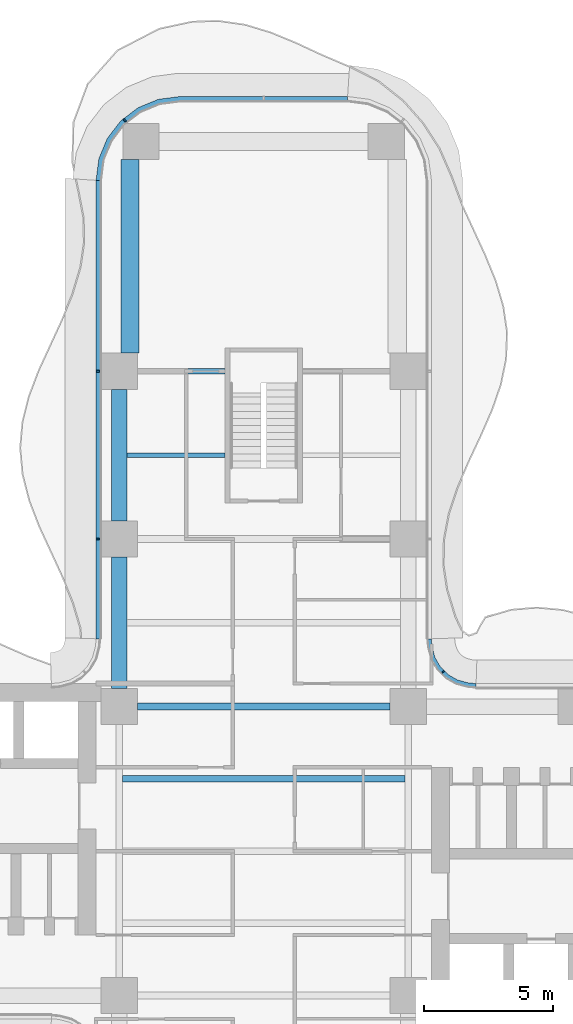
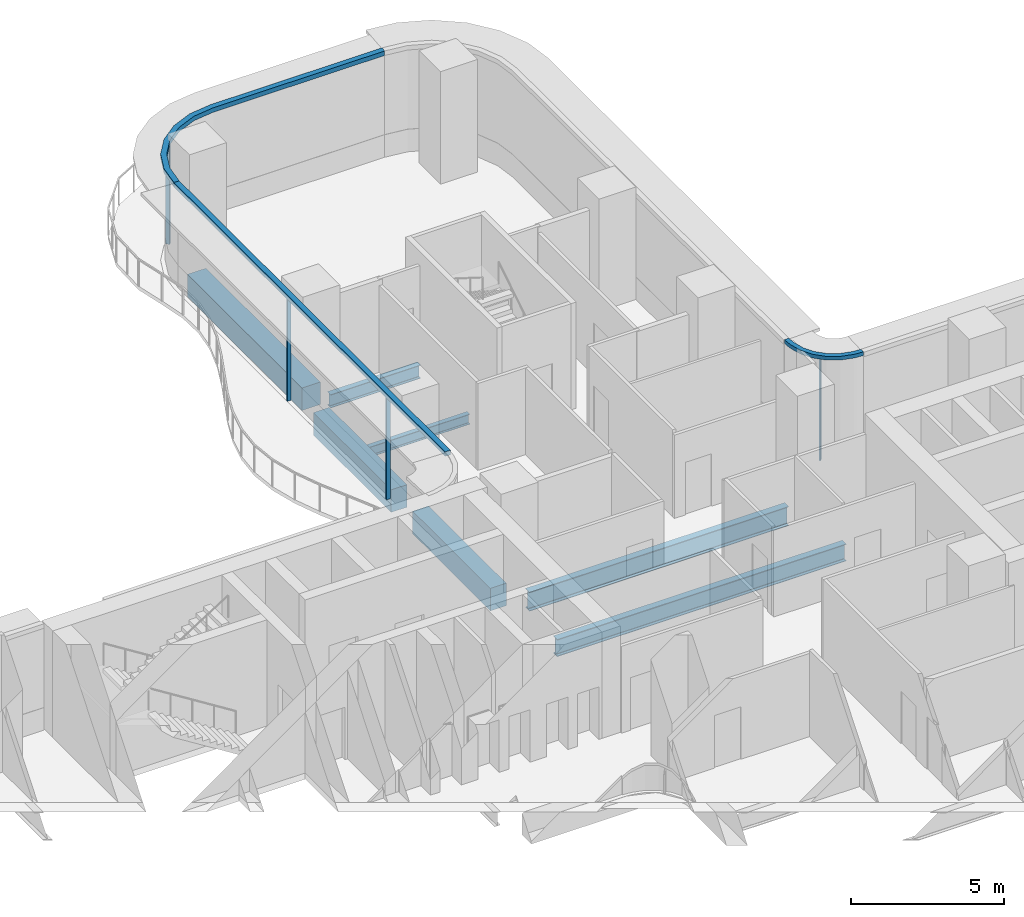
# One storey, part 9 of 22: 7 beams, 7 members, 3 elements without a shape of their own.
"""IFC4 building model written with IfcOpenShell, lengths in metres."""

import ifcopenshell
import ifcopenshell.guid

model = None  # the IFC model being written
_history = None  # IfcOwnerHistory: only IFC2X3 demands one
_inside = {}  # id of a spatial element -> (the spatial element, [elements in it])
_under = {}  # id of a project, library or spatial element -> (it, [spatial elements below it])
_declared = {}  # id of a project -> (the project, [libraries it declares])
_typed = {}  # id of a type object -> (the type object, [elements of that type])
_made_of = {}  # id of a material, layer set ... -> (it, [elements and type objects made of it])


def new_model(schema):
    """Start an empty IFC model of exactly this schema.

    Asked for "IFC4X3", IfcOpenShell would pick the latest addendum, in which some entities
    have other attributes; the version numbers below select the first issue.
    IFC2X3 requires an IfcOwnerHistory on every rooted entity: one is made here for all.
    """
    global model, _history
    if schema == "IFC4X3":
        model = ifcopenshell.file(schema_version=(4, 3, 0, 0))
    else:
        model = ifcopenshell.file(schema=schema)
    _inside.clear()
    _under.clear()
    _declared.clear()
    _typed.clear()
    _made_of.clear()
    _history = None
    if model.schema == "IFC2X3":
        org = make("IfcOrganization", Name="unknown")
        user = make(
            "IfcPersonAndOrganization",
            ThePerson=make("IfcPerson", FamilyName="unknown"),
            TheOrganization=org,
        )
        app = make(
            "IfcApplication",
            ApplicationDeveloper=org,
            Version="unknown",
            ApplicationFullName="unknown",
            ApplicationIdentifier="unknown",
        )
        _history = make(
            "IfcOwnerHistory",
            OwningUser=user,
            OwningApplication=app,
            ChangeAction="ADDED",
            CreationDate=0,
        )
    return model


def make(cls, **values):
    """One entity of the class cls with the attributes given. An attribute that is None is left unset."""
    return model.create_entity(
        cls, **{name: value for name, value in values.items() if value is not None}
    )


def rooted(cls, **values):
    """An entity with a GlobalId (a new one), such as an element, a storey or a relation."""
    return make(cls, GlobalId=ifcopenshell.guid.new(), OwnerHistory=_history, **values)


def si_unit(unit_type, name, prefix=None):
    """IfcSIUnit, for example si_unit("LENGTHUNIT", "METRE", prefix="MILLI")."""
    return make("IfcSIUnit", UnitType=unit_type, Prefix=prefix, Name=name)


def assignment(units):
    """IfcUnitAssignment: the units of a project."""
    return None if units is None else make("IfcUnitAssignment", Units=units)


def point(xyz):
    """IfcCartesianPoint."""
    return None if xyz is None else make("IfcCartesianPoint", Coordinates=xyz)


def direction(xyz):
    """IfcDirection."""
    return None if xyz is None else make("IfcDirection", DirectionRatios=xyz)


def frame(location, z_axis=None, x_axis=None):
    """IfcAxis2Placement3D, a coordinate frame: its origin and axes. An axis left out is left unset."""
    return make(
        "IfcAxis2Placement3D",
        Location=point(location),
        Axis=direction(z_axis),
        RefDirection=direction(x_axis),
    )


def frame_2d(location, x_axis=None):
    """IfcAxis2Placement2D, a coordinate frame in the plane: its origin and x axis."""
    return make(
        "IfcAxis2Placement2D", Location=point(location), RefDirection=direction(x_axis)
    )


def origin():
    """The frame at (0, 0, 0) with its axes left unset."""
    return frame((0.0, 0.0, 0.0))


def origin_2d():
    """The frame at (0, 0) in the plane with its x axis left unset."""
    return frame_2d((0.0, 0.0))


def place(relative_to, where):
    """IfcLocalPlacement: puts the frame where relative to a parent placement (None: the world)."""
    return make(
        "IfcLocalPlacement", PlacementRelTo=relative_to, RelativePlacement=where
    )


def context(
    kind, dimensions, precision=None, world=None, true_north=None, identifier=None
):
    """IfcGeometricRepresentationContext, for example the 3D "Model" context."""
    return make(
        "IfcGeometricRepresentationContext",
        ContextIdentifier=identifier,
        ContextType=kind,
        CoordinateSpaceDimension=dimensions,
        Precision=precision,
        WorldCoordinateSystem=world,
        TrueNorth=true_north,
    )


def subcontext(parent, identifier, kind, view, scale=None):
    """IfcGeometricRepresentationSubContext, for example "Body" below "Model"."""
    return make(
        "IfcGeometricRepresentationSubContext",
        ContextIdentifier=identifier,
        ContextType=kind,
        ParentContext=parent,
        TargetScale=scale,
        TargetView=view,
    )


def project(units=None, contexts=None):
    """IfcProject with its units and contexts."""
    return rooted(
        "IfcProject",
        Name="project",
        RepresentationContexts=contexts,
        UnitsInContext=assignment(units),
    )


def spatial(cls, under=None, at=None, **own):
    """A site, building, storey or space (cls), placed at a placement, below another one or the project."""
    s = rooted(cls, ObjectPlacement=at, **own)
    if under is not None:
        _under.setdefault(under.id(), (under, []))[1].append(s)
    return s


def polyline(points):
    """IfcPolyline through the points."""
    return make("IfcPolyline", Points=[point(p) for p in points])


def profile(cls, at=None, kind="AREA", **sizes):
    """A parametric profile (cls). Its sizes go by their IFC names, for example OverallWidth=200.0."""
    return make(cls, ProfileType=kind, Position=at, **sizes)


def rectangle(**sizes):
    """IfcRectangleProfileDef."""
    return profile("IfcRectangleProfileDef", **sizes)


def i_section(**sizes):
    """IfcIShapeProfileDef."""
    return profile("IfcIShapeProfileDef", **sizes)


def outline(outer, holes=None, kind="AREA"):
    """IfcArbitraryClosedProfileDef: a profile drawn as a closed curve; with holes, ...WithVoids."""
    if holes is None:
        return make("IfcArbitraryClosedProfileDef", ProfileType=kind, OuterCurve=outer)
    return make(
        "IfcArbitraryProfileDefWithVoids",
        ProfileType=kind,
        OuterCurve=outer,
        InnerCurves=holes,
    )


def extrude(swept, where, along, depth):
    """IfcExtrudedAreaSolid: the profile swept, set in the frame where, extruded along a direction by depth."""
    return make(
        "IfcExtrudedAreaSolid",
        SweptArea=swept,
        Position=where,
        ExtrudedDirection=direction(along),
        Depth=depth,
    )


def shape(context_of_items, identifier, shape_type, items):
    """IfcShapeRepresentation: the items that make up one representation, for example the "Body"."""
    return make(
        "IfcShapeRepresentation",
        ContextOfItems=context_of_items,
        RepresentationIdentifier=identifier,
        RepresentationType=shape_type,
        Items=items,
    )


def source(mapping_origin, context_of_items, identifier, shape_type, items):
    """IfcRepresentationMap: a shape defined once, which mapped items show again and again."""
    return make(
        "IfcRepresentationMap",
        MappingOrigin=mapping_origin,
        MappedRepresentation=shape(context_of_items, identifier, shape_type, items),
    )


def transform(
    local_origin,
    x_axis=None,
    y_axis=None,
    z_axis=None,
    scale=None,
    scale2=None,
    scale3=None,
    uniform=True,
):
    """IfcCartesianTransformationOperator3D, or its non-uniform kind. x_axis, y_axis, z_axis: its Axis1, 2, 3."""
    if uniform:
        return make(
            "IfcCartesianTransformationOperator3D",
            Axis1=direction(x_axis),
            Axis2=direction(y_axis),
            LocalOrigin=point(local_origin),
            Scale=scale,
            Axis3=direction(z_axis),
        )
    return make(
        "IfcCartesianTransformationOperator3DnonUniform",
        Axis1=direction(x_axis),
        Axis2=direction(y_axis),
        LocalOrigin=point(local_origin),
        Scale=scale,
        Axis3=direction(z_axis),
        Scale2=scale2,
        Scale3=scale3,
    )


def mapped(mapping_source, mapping_target):
    """IfcMappedItem: shows the shape of a source again, moved by a transform."""
    return make(
        "IfcMappedItem", MappingSource=mapping_source, MappingTarget=mapping_target
    )


def material(Name=None, Category=None):
    """IfcMaterial."""
    return make("IfcMaterial", Name=Name, Category=Category)


def layer(
    of_material, thickness, ventilated=None, Name=None, Category=None, Priority=None
):
    """IfcMaterialLayer: one layer of a wall or slab, of a material (None: an air gap)."""
    return make(
        "IfcMaterialLayer",
        Material=of_material,
        LayerThickness=thickness,
        IsVentilated=ventilated,
        Name=Name,
        Category=Category,
        Priority=Priority,
    )


def layer_set(layers, Name=None):
    """IfcMaterialLayerSet."""
    return make("IfcMaterialLayerSet", MaterialLayers=layers, LayerSetName=Name)


def material_profile(
    of_material, cross_section, Name=None, Category=None, Priority=None
):
    """IfcMaterialProfile: a cross section and its material."""
    return make(
        "IfcMaterialProfile",
        Name=Name,
        Material=of_material,
        Profile=cross_section,
        Priority=Priority,
        Category=Category,
    )


def profile_set(profiles, Name=None, composite=None):
    """IfcMaterialProfileSet."""
    return make(
        "IfcMaterialProfileSet",
        Name=Name,
        MaterialProfiles=profiles,
        CompositeProfile=composite,
    )


def made_of(thing, what):
    """Note that an element or type object is made of a material, layer set ...; save() writes the relation."""
    if what is not None:
        _made_of.setdefault(what.id(), (what, []))[1].append(thing)
    return thing


def type_object(cls, material=None, **own):
    """A type object (cls), such as IfcWallType, which elements share."""
    return made_of(rooted(cls, **own), material)


def element(
    cls,
    number,
    at=None,
    inside=None,
    cuts=None,
    type_object=None,
    material=None,
    context=None,
    identifier="Body",
    shape_type=None,
    held_by="IfcProductDefinitionShape",
    body=None,
    shapes=None,
    **own,
):
    """One element of the class cls, such as IfcWall. Its Tag is "e" and its number.

    at: its placement. inside: the storey or other place that contains it. cuts: it is an
    opening in that element (IfcRelVoidsElement). A single representation is given by context,
    identifier, shape_type and body (its items); several are given by shapes. held_by: the class
    of the entity that holds the representations. save() writes the other relations.
    """
    e = rooted(cls, Tag="e%d" % number, ObjectPlacement=at, **own)
    if body is not None:
        shapes = [shape(context, identifier, shape_type, body)]
    if shapes is not None:
        e.Representation = make(held_by, Representations=shapes)
    if inside is not None:
        _inside.setdefault(inside.id(), (inside, []))[1].append(e)
    if cuts is not None:
        rooted(
            "IfcRelVoidsElement", RelatingBuildingElement=cuts, RelatedOpeningElement=e
        )
    if type_object is not None:
        _typed.setdefault(type_object.id(), (type_object, []))[1].append(e)
    return made_of(e, material)


def aggregate(whole, parts):
    """IfcRelAggregates: a whole, such as a stair, and the parts it consists of."""
    return rooted("IfcRelAggregates", RelatingObject=whole, RelatedObjects=parts)


def save(model, path):
    """Write the relations noted so far, then the file.

    IfcRelAggregates (storeys below a building ...), IfcRelContainedInSpatialStructure (elements
    in a storey), IfcRelDefinesByType, IfcRelAssociatesMaterial and IfcRelDeclares: one each for
    every whole, place, type object, material and project.
    """
    for whole, parts in _under.values():
        aggregate(whole, parts)
    for where, things in _inside.values():
        rooted(
            "IfcRelContainedInSpatialStructure",
            RelatedElements=things,
            RelatingStructure=where,
        )
    for kind, things in _typed.values():
        rooted("IfcRelDefinesByType", RelatedObjects=things, RelatingType=kind)
    for what, things in _made_of.values():
        rooted("IfcRelAssociatesMaterial", RelatedObjects=things, RelatingMaterial=what)
    for by, libraries in _declared.values():
        rooted("IfcRelDeclares", RelatingContext=by, RelatedDefinitions=libraries)
    model.write(path)


model = new_model("IFC4")

# Units and contexts
model_context = context("Model", 3, precision=1e-05, world=origin(), true_north=direction((0.0, 1.0)))
body_context = subcontext(model_context, "Body", "Model", "MODEL_VIEW")
ifc_project = project(units=[si_unit("LENGTHUNIT", "METRE"), si_unit("AREAUNIT", "SQUARE_METRE"), si_unit("VOLUMEUNIT", "CUBIC_METRE"), si_unit("PLANEANGLEUNIT", "RADIAN"), si_unit("MASSUNIT", "GRAM", prefix="KILO")], contexts=[model_context])

# Site, building, storey
site_placement = place(None, origin())
site = spatial("IfcSite", under=ifc_project, at=site_placement, CompositionType="ELEMENT")
building_placement = place(site_placement, origin())
building = spatial("IfcBuilding", under=site, at=building_placement, Name="Trellis Farm Tower", CompositionType="ELEMENT")
storey_placement = place(building_placement, frame((0.0, 0.0, 56.5)))
storey = spatial("IfcBuildingStorey", under=building, at=storey_placement, Name="L11", CompositionType="ELEMENT", Elevation=56.5)

# Beams
ifc_material_1 = material(Name="Steel S355", Category="steel")
ifc_material_profile_1 = material_profile(ifc_material_1, i_section(OverallWidth=0.253662109375, OverallDepth=0.68359375, WebThickness=0.012451171875, FlangeThickness=0.021728515625, FilletRadius=0.01513671875, at=origin_2d()), Name="UB 686x254x140")
ifc_profile_set_1 = profile_set([ifc_material_profile_1], Name="Steel S355")
beam_type_1 = type_object("IfcBeamType", Name="UB 686x254x140 joist", PredefinedType="JOIST", material=ifc_profile_set_1)
shared_shape_1 = source(origin(), body_context, "Body", "SweptSolid", [
    extrude(i_section(OverallWidth=0.253662109375, OverallDepth=0.68359375, WebThickness=0.012451171875, FlangeThickness=0.021728515625, FilletRadius=0.01513671875, at=origin_2d()), origin(), (0.0, 0.0, 1.0), 10.93310546875),
])
beam_1_placement = place(storey_placement, frame((-5.466552734375, 2.800048828125, -0.591796875), z_axis=(1.0, 0.0, 0.0), x_axis=(0.0, 1.0, 0.0)))
element("IfcBeam", 1, at=beam_1_placement, inside=storey, type_object=beam_type_1, Name="Floor beam", PredefinedType="JOIST", context=body_context, shape_type="MappedRepresentation", body=[
    mapped(shared_shape_1, transform((0.0, 0.0, 0.0))),
])
ifc_material_profile_2 = material_profile(ifc_material_1, i_section(OverallWidth=0.209228515625, OverallDepth=0.533203125, WebThickness=0.010009765625, FlangeThickness=0.015625, FilletRadius=0.0126953125, at=origin_2d()), Name="UB 533x210x92")
ifc_profile_set_2 = profile_set([ifc_material_profile_2], Name="Steel S355")
beam_type_2 = type_object("IfcBeamType", Name="UB 533x210x92", PredefinedType="BEAM", material=ifc_profile_set_2)
shared_shape_2 = source(origin(), body_context, "Body", "SweptSolid", [
    extrude(i_section(OverallWidth=0.209228515625, OverallDepth=0.533203125, WebThickness=0.010009765625, FlangeThickness=0.015625, FilletRadius=0.0126953125, at=origin_2d()), origin(), (0.0, 0.0, 1.0), 3.39990234375),
])
beam_2_placement = place(storey_placement, frame((-4.89990234375, 18.60009765625, -0.5166015625), z_axis=(1.0, 0.0, 0.0), x_axis=(0.0, 1.0, 0.0)))
element("IfcBeam", 2, at=beam_2_placement, inside=storey, type_object=beam_type_2, Name="Girder", PredefinedType="BEAM", context=body_context, shape_type="MappedRepresentation", body=[
    mapped(shared_shape_2, transform((0.0, 0.0, 0.0))),
])
ifc_material_2 = material(Name="Concrete C60/75", Category="concrete")
ifc_material_profile_3 = material_profile(ifc_material_2, rectangle(XDim=0.60009765625, YDim=0.89990234375, at=origin_2d()), Name="RC spandrel beam 600x900 C60/75")
ifc_profile_set_3 = profile_set([ifc_material_profile_3], Name="Concrete C60/75")
beam_type_3 = type_object("IfcBeamType", Name="RC spandrel beam 600x900 C60/75", PredefinedType="SPANDREL", material=ifc_profile_set_3)
shared_shape_3 = source(origin(), body_context, "Body", "SweptSolid", [
    extrude(rectangle(XDim=0.60009765625, YDim=0.89990234375, at=origin_2d()), origin(), (0.0, 0.0, 1.0), 5.099853515625),
])
for number, where, z_axis, x_axis, name in (
    (3, (-5.60009765625, 6.300048828125, -0.699951171875), (0.0, 1.0, 0.0), (-1.0, 0.0, 0.0), "Girder"),
    (4, (-5.60009765625, 12.800048828125, -0.699951171875), (0.0, 1.0, 0.0), (-1.0, 0.0, 0.0), "Girder"),
):
    element("IfcBeam", number, at=place(storey_placement, frame(where, z_axis=z_axis, x_axis=x_axis)), inside=storey, type_object=beam_type_3, Name=name, PredefinedType="SPANDREL", context=body_context, shape_type="MappedRepresentation", body=[
        mapped(shared_shape_3, transform((0.0, 0.0, 0.0))),
    ])
ifc_material_profile_4 = material_profile(ifc_material_1, i_section(OverallWidth=0.2666015625, OverallDepth=0.76220703125, WebThickness=0.014404296875, FlangeThickness=0.021484375, FilletRadius=0.0166015625, at=origin_2d()), Name="UB 762x267x173")
ifc_profile_set_4 = profile_set([ifc_material_profile_4], Name="Steel S355")
beam_type_4 = type_object("IfcBeamType", Name="UB 762x267x173", PredefinedType="BEAM", material=ifc_profile_set_4)
shared_shape_4 = source(origin(), body_context, "Body", "SweptSolid", [
    extrude(i_section(OverallWidth=0.2666015625, OverallDepth=0.76220703125, WebThickness=0.014404296875, FlangeThickness=0.021484375, FilletRadius=0.0166015625, at=origin_2d()), origin(), (0.0, 0.0, 1.0), 9.7998046875),
])
beam_3_placement = place(storey_placement, frame((-4.89990234375, 5.60009765625, -0.631103515625), z_axis=(1.0, 0.0, 0.0), x_axis=(0.0, 1.0, 0.0)))
element("IfcBeam", 5, at=beam_3_placement, inside=storey, type_object=beam_type_4, Name="Girder", PredefinedType="BEAM", context=body_context, shape_type="MappedRepresentation", body=[
    mapped(shared_shape_4, transform((0.0, 0.0, 0.0))),
])
ifc_material_profile_5 = material_profile(ifc_material_2, rectangle(XDim=0.699951171875, YDim=0.89990234375, at=origin_2d()), Name="RC spandrel beam 700x900 C60/75")
ifc_profile_set_5 = profile_set([ifc_material_profile_5], Name="Concrete C60/75")
beam_type_5 = type_object("IfcBeamType", Name="RC spandrel beam 700x900 C60/75", PredefinedType="SPANDREL", material=ifc_profile_set_5)
shared_shape_5 = source(origin(), body_context, "Body", "SweptSolid", [
    extrude(rectangle(XDim=0.699951171875, YDim=0.89990234375, at=origin_2d()), origin(), (0.0, 0.0, 1.0), 7.5),
])
beam_4_placement = place(storey_placement, frame((-5.175048828125, 19.300048828125, -0.699951171875), z_axis=(0.0, 1.0, 0.0), x_axis=(-1.0, 0.0, 0.0)))
element("IfcBeam", 6, at=beam_4_placement, inside=storey, type_object=beam_type_5, Name="Girder", PredefinedType="SPANDREL", context=body_context, shape_type="MappedRepresentation", body=[
    mapped(shared_shape_5, transform((0.0, 0.0, 0.0))),
])
ifc_material_profile_6 = material_profile(ifc_material_1, i_section(OverallWidth=0.177978515625, OverallDepth=0.406494140625, WebThickness=0.0078125, FlangeThickness=0.0126953125, FilletRadius=0.01025390625, at=origin_2d()), Name="UB 406x178x60")
ifc_profile_set_6 = profile_set([ifc_material_profile_6], Name="Steel S355")
beam_type_6 = type_object("IfcBeamType", Name="UB 406x178x60 joist", PredefinedType="JOIST", material=ifc_profile_set_6)
shared_shape_6 = source(origin(), body_context, "Body", "SweptSolid", [
    extrude(i_section(OverallWidth=0.177978515625, OverallDepth=0.406494140625, WebThickness=0.0078125, FlangeThickness=0.0126953125, FilletRadius=0.01025390625, at=origin_2d()), origin(), (0.0, 0.0, 1.0), 3.800048828125),
])
beam_5_placement = place(storey_placement, frame((-5.300048828125, 15.35009765625, -0.453125), z_axis=(1.0, 0.0, 0.0), x_axis=(0.0, 1.0, 0.0)))
element("IfcBeam", 7, at=beam_5_placement, inside=storey, type_object=beam_type_6, Name="Floor beam", PredefinedType="JOIST", context=body_context, shape_type="MappedRepresentation", body=[
    mapped(shared_shape_6, transform((0.0, 0.0, 0.0))),
])

# Curtain wall, member
ifc_material_3 = material(Name="Aluminium and glass curtain wall", Category="aluminium")
ifc_layer_1 = layer(ifc_material_3, 0.18994140625)
ifc_layer_set_1 = layer_set([ifc_layer_1], Name="RIBBON CURTAIN WALL CW1")
curtain_wall_type_1 = type_object("IfcCurtainWallType", Name="RIBBON CURTAIN WALL CW1", PredefinedType="NOTDEFINED", material=ifc_layer_set_1)
placement_1 = place(storey_placement, origin())
curtain_wall_1 = element("IfcCurtainWall", 8, at=placement_1, inside=storey, type_object=curtain_wall_type_1, Name="CW1 010", PredefinedType="NOTDEFINED")
ifc_material_4 = material(Name="Aluminium extrusion 6063-T6", Category="aluminium")
ifc_material_profile_7 = material_profile(ifc_material_4, rectangle(XDim=0.06005859375, YDim=0.14990234375, at=origin_2d()), Name="MULLION 60x150")
ifc_profile_set_7 = profile_set([ifc_material_profile_7], Name="Aluminium extrusion 6063-T6")
member_type_1 = type_object("IfcMemberType", Name="CW1 MULLION 60x150", PredefinedType="MULLION", material=ifc_profile_set_7)
shared_shape_7 = source(origin(), body_context, "Body", "SweptSolid", [
    extrude(rectangle(XDim=0.06005859375, YDim=0.14990234375, at=origin_2d()), origin(), (0.0, 0.0, 1.0), 4.070068359375),
])
member_1_placement = place(storey_placement, frame((-5.385498046875, 28.328369140625, 0.0), z_axis=(0.0, 0.0, 1.0), x_axis=(-0.793353340291, -0.608761429009, 0.0)))
member_1 = element("IfcMember", 9, at=member_1_placement, type_object=member_type_1, Name="MU1 010-02", PredefinedType="MULLION", context=body_context, shape_type="MappedRepresentation", body=[
    mapped(shared_shape_7, transform((0.0, 0.0, 0.0))),
])

# Curtain wall, members
curtain_wall_2 = element("IfcCurtainWall", 10, at=placement_1, inside=storey, type_object=curtain_wall_type_1, Name="CW1 011", PredefinedType="NOTDEFINED")
member_2_placement = place(storey_placement, frame((-6.425048828125, 18.60009765625, 0.0), z_axis=(0.0, 0.0, 1.0), x_axis=(0.0, -1.0, 0.0)))
member_2 = element("IfcMember", 11, at=member_2_placement, type_object=member_type_1, Name="MU1 011-01", PredefinedType="MULLION", context=body_context, shape_type="MappedRepresentation", body=[
    mapped(shared_shape_7, transform((0.0, 0.0, 0.0))),
])
member_3_placement = place(storey_placement, frame((-6.425048828125, 12.10009765625, 0.0), z_axis=(0.0, 0.0, 1.0), x_axis=(0.0, -1.0, 0.0)))
member_3 = element("IfcMember", 12, at=member_3_placement, type_object=member_type_1, Name="MU1 011-02", PredefinedType="MULLION", context=body_context, shape_type="MappedRepresentation", body=[
    mapped(shared_shape_7, transform((0.0, 0.0, 0.0))),
])

ifc_layer_2 = layer(ifc_material_3, 0.166015625)
ifc_layer_set_2 = layer_set([ifc_layer_2], Name="WINTER GARDEN CURTAIN WALL CW3")
curtain_wall_type_2 = type_object("IfcCurtainWallType", Name="WINTER GARDEN CURTAIN WALL CW3", PredefinedType="NOTDEFINED", material=ifc_layer_set_2)
curtain_wall_3 = element("IfcCurtainWall", 13, at=placement_1, inside=storey, type_object=curtain_wall_type_2, Name="CW3 003", PredefinedType="NOTDEFINED")
ifc_material_profile_8 = material_profile(ifc_material_4, rectangle(XDim=0.050048828125, YDim=0.1201171875, at=origin_2d()), Name="MULLION 50x120")
ifc_profile_set_8 = profile_set([ifc_material_profile_8], Name="Aluminium extrusion 6063-T6")
member_type_2 = type_object("IfcMemberType", Name="CW3 MULLION 50x120", PredefinedType="MULLION", material=ifc_profile_set_8)
shared_shape_8 = source(origin(), body_context, "Body", "SweptSolid", [
    extrude(rectangle(XDim=0.050048828125, YDim=0.1201171875, at=origin_2d()), origin(), (0.0, 0.0, 1.0), 4.10009765625),
])
member_4_placement = place(storey_placement, frame((6.953125, 6.953125, 0.0), z_axis=(0.0, 0.0, 1.0), x_axis=(-0.707106781187, 0.707106781187, 0.0)))
member_4 = element("IfcMember", 14, at=member_4_placement, type_object=member_type_2, Name="MU3 003-01", PredefinedType="MULLION", context=body_context, shape_type="MappedRepresentation", body=[
    mapped(shared_shape_8, transform((0.0, 0.0, 0.0))),
])
ifc_layer_3 = layer(ifc_material_4, 0.169921875)
ifc_layer_set_3 = layer_set([ifc_layer_3], Name="Aluminium extrusion 6063-T6")
member_type_3 = type_object("IfcMemberType", Name="CW3 TRANSOM 170x150", PredefinedType="USERDEFINED", material=ifc_layer_set_3)
shared_shape_9 = source(origin(), body_context, "Body", "SweptSolid", [
    extrude(outline(polyline([(8.2314453125, 6.5), (8.01953125, 6.513916015625), (7.91552734375, 6.527587890625), (7.508544921875, 6.63671875), (7.144287109375, 6.846923828125), (6.846923828125, 7.144287109375), (6.63671875, 7.508544921875), (6.527587890625, 7.91552734375), (6.513916015625, 8.01953125), (6.5, 8.2314453125), (6.330078125, 8.225830078125), (6.3447265625, 8.0029296875), (6.360595703125, 7.88232421875), (6.478271484375, 7.44287109375), (6.7109375, 7.0400390625), (7.0400390625, 6.7109375), (7.44287109375, 6.478271484375), (7.88232421875, 6.360595703125), (8.0029296875, 6.3447265625), (8.225830078125, 6.330078125), (8.2314453125, 6.5)])), origin(), (0.0, 0.0, 1.0), 0.14990234375),
])
member_5_placement = place(storey_placement, frame((0.0, 0.0, 4.10009765625)))
member_5 = element("IfcMember", 15, at=member_5_placement, type_object=member_type_3, Name="TR3 003", ObjectType="TRANSOM", PredefinedType="USERDEFINED", context=body_context, shape_type="MappedRepresentation", body=[
    mapped(shared_shape_9, transform((0.0, 0.0, 0.0))),
])
aggregate(curtain_wall_3, [member_4, member_5])

# Member
ifc_layer_4 = layer(ifc_material_4, 0.199951171875)
ifc_layer_set_4 = layer_set([ifc_layer_4], Name="Aluminium extrusion 6063-T6")
member_type_4 = type_object("IfcMemberType", Name="CW1 TRANSOM 200x180", PredefinedType="USERDEFINED", material=ifc_layer_set_4)
shared_shape_10 = source(origin(), body_context, "Body", "SweptSolid", [
    extrude(outline(polyline([(3.25, 29.25), (-3.25, 29.25), (-4.091064453125, 29.13916015625), (-4.875, 28.814697265625), (-5.548095703125, 28.298095703125), (-6.064697265625, 27.625), (-6.38916015625, 26.841064453125), (-6.5, 26.0), (-6.300048828125, 25.98681640625), (-6.1943359375, 26.7890625), (-5.889892578125, 27.524169921875), (-5.405517578125, 28.155517578125), (-4.774169921875, 28.639892578125), (-4.0390625, 28.9443359375), (-3.23681640625, 29.050048828125), (3.23681640625, 29.050048828125), (3.25, 29.25)])), origin(), (0.0, 0.0, 1.0), 0.179931640625),
])
placement_2 = place(storey_placement, frame((0.0, 0.0, 4.070068359375)))
member_6 = element("IfcMember", 16, at=placement_2, type_object=member_type_4, Name="TR1 010", ObjectType="TRANSOM", PredefinedType="USERDEFINED", context=body_context, shape_type="MappedRepresentation", body=[
    mapped(shared_shape_10, transform((0.0, 0.0, 0.0))),
])

aggregate(curtain_wall_1, [member_1, member_6])

shared_shape_11 = source(origin(), body_context, "Body", "SweptSolid", [
    extrude(outline(polyline([(-6.5, 26.0), (-6.5, 8.2314453125), (-6.300048828125, 8.224853515625), (-6.300048828125, 25.98681640625), (-6.5, 26.0)])), origin(), (0.0, 0.0, 1.0), 0.179931640625),
])
member_7 = element("IfcMember", 17, at=placement_2, type_object=member_type_4, Name="TR1 011", ObjectType="TRANSOM", PredefinedType="USERDEFINED", context=body_context, shape_type="MappedRepresentation", body=[
    mapped(shared_shape_11, transform((0.0, 0.0, 0.0))),
])

aggregate(curtain_wall_2, [member_2, member_3, member_7])

save(model, "model.ifc")
